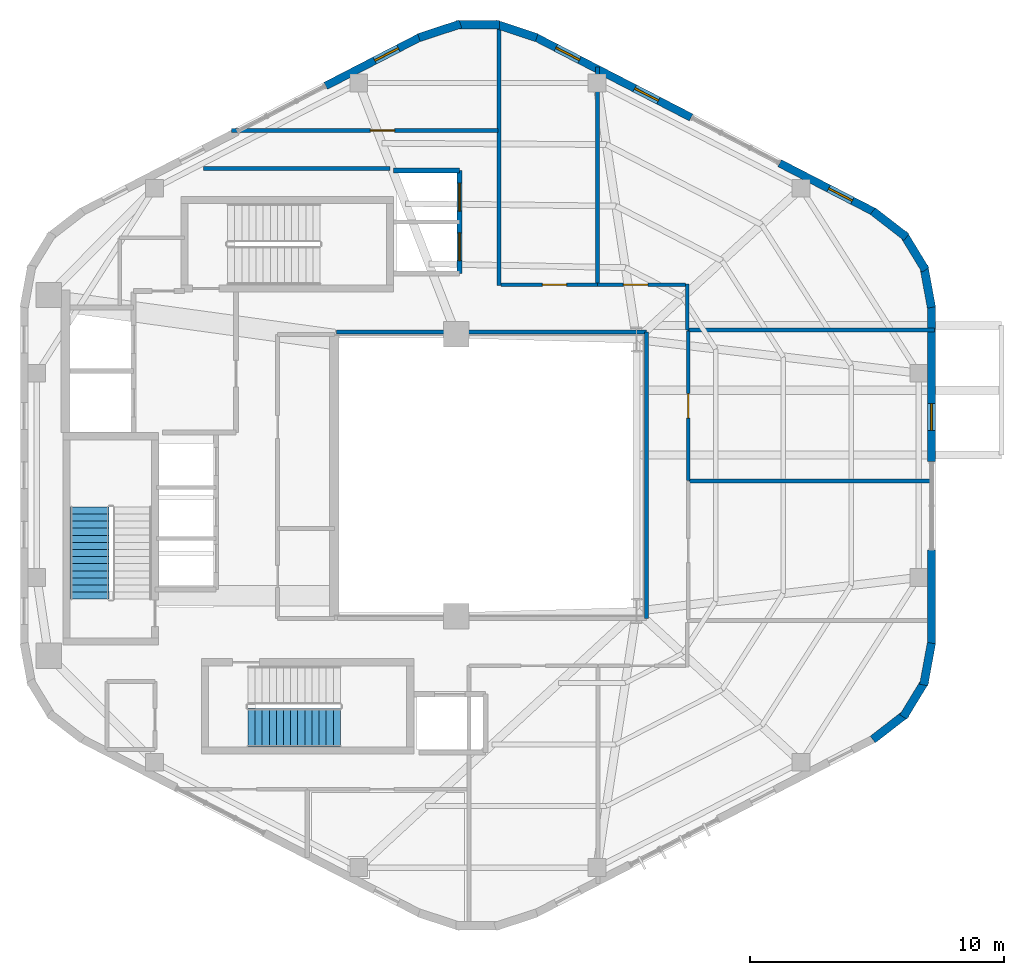
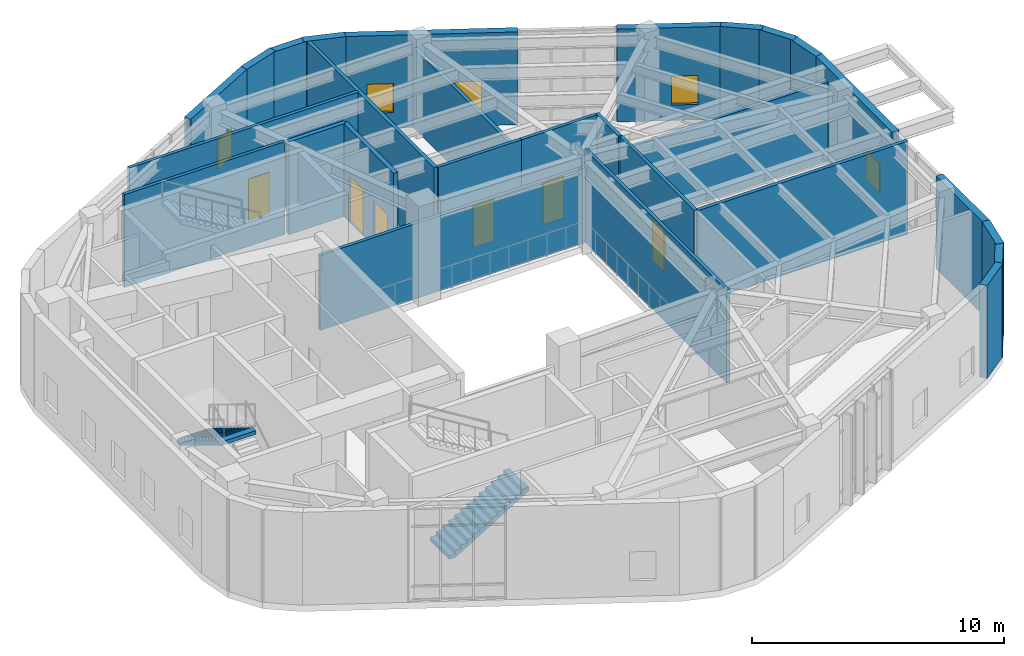
# One storey, part 16 of 18: 28 walls, 6 doors, 5 windows, 2 stair flights, 11 openings, 2 elements without a shape of their own.
"""IFC4 building model written with IfcOpenShell, lengths in metres."""

from ifc_helpers import new_model, si_unit, direction, frame, frame_2d, origin, place, context, subcontext, project, spatial, polyline, rectangle, outline, extrude, material, layer, layer_set, type_object, element, fill, aggregate, save


model = new_model("IFC4")

# Units and contexts
model_context = context("Model", 3, precision=1e-05, world=origin(), true_north=direction((0.0, 1.0)))
body_context = subcontext(model_context, "Body", "Model", "MODEL_VIEW")
ifc_project = project(units=[si_unit("LENGTHUNIT", "METRE"), si_unit("AREAUNIT", "SQUARE_METRE"), si_unit("VOLUMEUNIT", "CUBIC_METRE"), si_unit("PLANEANGLEUNIT", "RADIAN"), si_unit("MASSUNIT", "GRAM", prefix="KILO"), si_unit("THERMODYNAMICTEMPERATUREUNIT", "KELVIN"), si_unit("POWERUNIT", "WATT")], contexts=[model_context])

# Site, building, storey
site_placement = place(None, origin())
site = spatial("IfcSite", under=ifc_project, at=site_placement, CompositionType="ELEMENT")
building_placement = place(site_placement, origin())
building = spatial("IfcBuilding", under=site, at=building_placement, Name="Skarre Station Tower", CompositionType="ELEMENT")
storey_placement = place(building_placement, frame((0.0, 0.0, 270.300048828125)))
storey = spatial("IfcBuildingStorey", under=building, at=storey_placement, Name="L74", CompositionType="ELEMENT", Elevation=270.300048828125)

# Walls
ifc_material_1 = material(Name="Acoustic Steel-Stud Gypsum Partition", Category="steel")
ifc_layer_1 = layer(ifc_material_1, 0.14990234375, Name="Acoustic Steel-Stud Gypsum Partition")
ifc_layer_set_1 = layer_set([ifc_layer_1], Name="Acoustic Steel-Stud Gypsum Partition")
wall_type_1 = type_object("IfcWallType", Name="Fire-Rated Corridor Acoustic Partition 150", PredefinedType="PARTITIONING", material=ifc_layer_set_1)
wall_1_placement = place(storey_placement, frame((39.840087890625, 29.639892578125, 0.0), z_axis=(0.0, 0.0, 1.0), x_axis=(-1.0, 0.0, 0.0)))
element("IfcWall", 1, at=wall_1_placement, inside=storey, type_object=wall_type_1, Name="L74 Interior Partition WL-PT-L74-ATRW-N", PredefinedType="PARTITIONING", context=body_context, shape_type="SweptSolid", body=[
    extrude(rectangle(XDim=12.203125, YDim=0.14990234375, at=frame_2d((6.1015625, 0.0))), origin(), (0.0, 0.0, 1.0), 3.630859375),
])
wall_2_placement = place(storey_placement, frame((39.840087890625, 18.360107421875, 0.0), z_axis=(0.0, 0.0, 1.0), x_axis=(0.0, 1.0, 0.0)))
element("IfcWall", 2, at=wall_2_placement, inside=storey, type_object=wall_type_1, Name="L74 Interior Partition WL-PT-L74-ATRW-E", PredefinedType="PARTITIONING", context=body_context, shape_type="SweptSolid", body=[
    extrude(rectangle(XDim=11.27978515625, YDim=0.14990234375, at=frame_2d((5.639892578125, 0.0))), origin(), (0.0, 0.0, 1.0), 4.489990234375),
])

# Wall, opening, door
wall_3_placement = place(storey_placement, frame((34.0, 37.580078125, 0.0), z_axis=(0.0, 0.0, 1.0), x_axis=(-1.0, 0.0, 0.0)))
wall_3 = element("IfcWall", 3, at=wall_3_placement, inside=storey, type_object=wall_type_1, Name="L74 Interior Partition WL-PT-L74-CRNNW1-CW", PredefinedType="PARTITIONING", context=body_context, shape_type="SweptSolid", body=[
    extrude(rectangle(XDim=10.5009765625, YDim=0.14990234375, at=frame_2d((5.25048828125, 0.0))), origin(), (0.0, 0.0, 1.0), 4.489990234375),
])
opening_1_placement = place(wall_3_placement, frame((4.070068359375, 0.0, 0.0)))
opening_1 = element("IfcOpeningElement", 4, at=opening_1_placement, cuts=wall_3, Name="Opening DR-FD60", PredefinedType="OPENING", context=body_context, shape_type="SweptSolid", body=[
    extrude(rectangle(XDim=0.9599609375, YDim=2.0, at=frame_2d((0.47998046875, 1.0))), frame((0.0, 0.0849609375, 0.0), z_axis=(0.0, -1.0, 0.0), x_axis=(1.0, 0.0, 0.0)), (0.0, 0.0, 1.0), 0.169921875),
])
ifc_material_2 = material(Name="Nordic White-Oak Veneer Solid-Core Fire Leaf", Category="wood")
door_type_1 = type_object("IfcDoorType", Name="Corridor Suite Entry Fire Door FD60 960x2150", OperationType="SINGLE_SWING_LEFT", PredefinedType="DOOR", material=ifc_material_2)
door_1_placement = place(opening_1_placement, origin())
door_1 = element("IfcDoor", 5, at=door_1_placement, inside=storey, type_object=door_type_1, Name="L74 CRNNW1 Entry Door", OperationType="SINGLE_SWING_LEFT", OverallHeight=2.0, OverallWidth=0.9599609375, PredefinedType="DOOR", context=body_context, shape_type="SweptSolid", body=[
    extrude(rectangle(XDim=0.9599609375, YDim=2.0, at=frame_2d((0.47998046875, 1.0))), frame((0.0, 0.02490234375, 0.0), z_axis=(0.0, -1.0, 0.0), x_axis=(1.0, 0.0, 0.0)), (0.0, 0.0, 1.0), 0.050048828125),
])
fill(opening_1, door_1)

# Wall
wall_4_placement = place(storey_placement, frame((41.449951171875, 29.719970703125, 0.0), z_axis=(0.0, 0.0, 1.0), x_axis=(0.0, 1.0, 0.0)))
element("IfcWall", 6, at=wall_4_placement, inside=storey, type_object=wall_type_1, Name="L74 Interior Partition WL-PT-L74-CRNN-ERET", PredefinedType="PARTITIONING", context=body_context, shape_type="SweptSolid", body=[
    extrude(rectangle(XDim=1.820068359375, YDim=0.14990234375, at=frame_2d((0.91015625, 0.0))), origin(), (0.0, 0.0, 1.0), 4.489990234375),
])

# Wall, opening, door
wall_5_placement = place(storey_placement, frame((37.912109375, 31.5, 0.0), z_axis=(0.0, 0.0, 1.0), x_axis=(-1.0, 0.0, 0.0)))
wall_5 = element("IfcWall", 7, at=wall_5_placement, inside=storey, type_object=wall_type_1, Name="L74 Interior Partition WL-PT-L74-CRNN1-CW", PredefinedType="PARTITIONING", context=body_context, shape_type="SweptSolid", body=[
    extrude(rectangle(XDim=3.795166015625, YDim=0.14990234375, at=frame_2d((1.8974609375, 0.0))), origin(), (0.0, 0.0, 1.0), 4.489990234375),
])
opening_2_placement = place(wall_5_placement, frame((1.2119140625, 0.0, 0.0)))
opening_2 = element("IfcOpeningElement", 8, at=opening_2_placement, cuts=wall_5, Name="Opening DR-FD60", PredefinedType="OPENING", context=body_context, shape_type="SweptSolid", body=[
    extrude(rectangle(XDim=0.9599609375, YDim=2.0, at=frame_2d((0.47998046875, 1.0))), frame((0.0, 0.0849609375, 0.0), z_axis=(0.0, -1.0, 0.0), x_axis=(1.0, 0.0, 0.0)), (0.0, 0.0, 1.0), 0.169921875),
])
door_2_placement = place(opening_2_placement, origin())
door_2 = element("IfcDoor", 9, at=door_2_placement, inside=storey, type_object=door_type_1, Name="L74 CRNN1 Entry Door", OperationType="SINGLE_SWING_LEFT", OverallHeight=2.0, OverallWidth=0.9599609375, PredefinedType="DOOR", context=body_context, shape_type="SweptSolid", body=[
    extrude(rectangle(XDim=0.9599609375, YDim=2.0, at=frame_2d((0.47998046875, 1.0))), frame((0.0, 0.02490234375, 0.0), z_axis=(0.0, -1.0, 0.0), x_axis=(1.0, 0.0, 0.0)), (0.0, 0.0, 1.0), 0.050048828125),
])
fill(opening_2, door_2)

wall_6_placement = place(storey_placement, frame((41.3798828125, 31.5, 0.0), z_axis=(0.0, 0.0, 1.0), x_axis=(-1.0, 0.0, 0.0)))
wall_6 = element("IfcWall", 10, at=wall_6_placement, inside=storey, type_object=wall_type_1, Name="L74 Interior Partition WL-PT-L74-CRNN2-CW", PredefinedType="PARTITIONING", context=body_context, shape_type="SweptSolid", body=[
    extrude(rectangle(XDim=3.457763671875, YDim=0.14990234375, at=frame_2d((1.72900390625, 0.0))), origin(), (0.0, 0.0, 1.0), 4.489990234375),
])
opening_3_placement = place(wall_6_placement, frame((1.48388671875, 0.0, 0.0)))
opening_3 = element("IfcOpeningElement", 11, at=opening_3_placement, cuts=wall_6, Name="Opening DR-FD60", PredefinedType="OPENING", context=body_context, shape_type="SweptSolid", body=[
    extrude(rectangle(XDim=0.9599609375, YDim=2.0, at=frame_2d((0.47998046875, 1.0))), frame((0.0, 0.0849609375, 0.0), z_axis=(0.0, -1.0, 0.0), x_axis=(1.0, 0.0, 0.0)), (0.0, 0.0, 1.0), 0.169921875),
])
door_3_placement = place(opening_3_placement, origin())
door_3 = element("IfcDoor", 12, at=door_3_placement, inside=storey, type_object=door_type_1, Name="L74 CRNN2 Entry Door", OperationType="SINGLE_SWING_LEFT", OverallHeight=2.0, OverallWidth=0.9599609375, PredefinedType="DOOR", context=body_context, shape_type="SweptSolid", body=[
    extrude(rectangle(XDim=0.9599609375, YDim=2.0, at=frame_2d((0.47998046875, 1.0))), frame((0.0, 0.02490234375, 0.0), z_axis=(0.0, -1.0, 0.0), x_axis=(1.0, 0.0, 0.0)), (0.0, 0.0, 1.0), 0.050048828125),
])
fill(opening_3, door_3)

wall_7_placement = place(storey_placement, frame((41.489990234375, 23.791015625, 0.0), z_axis=(0.0, 0.0, 1.0), x_axis=(0.0, 1.0, 0.0)))
wall_7 = element("IfcWall", 13, at=wall_7_placement, inside=storey, type_object=wall_type_1, Name="L74 Interior Partition WL-PT-L74-CRNE2-CW", PredefinedType="PARTITIONING", context=body_context, shape_type="SweptSolid", body=[
    extrude(rectangle(XDim=5.888916015625, YDim=0.14990234375, at=frame_2d((2.9443359375, 0.0))), origin(), (0.0, 0.0, 1.0), 4.489990234375),
])
opening_4_placement = place(wall_7_placement, frame((2.465087890625, 0.0, 0.0)))
opening_4 = element("IfcOpeningElement", 14, at=opening_4_placement, cuts=wall_7, Name="Opening DR-FD60", PredefinedType="OPENING", context=body_context, shape_type="SweptSolid", body=[
    extrude(rectangle(XDim=0.9599609375, YDim=2.0, at=frame_2d((0.47998046875, 1.0))), frame((0.0, 0.0849609375, 0.0), z_axis=(0.0, -1.0, 0.0), x_axis=(1.0, 0.0, 0.0)), (0.0, 0.0, 1.0), 0.169921875),
])
door_4_placement = place(opening_4_placement, origin())
door_4 = element("IfcDoor", 15, at=door_4_placement, inside=storey, type_object=door_type_1, Name="L74 CRNE2 Entry Door", OperationType="SINGLE_SWING_LEFT", OverallHeight=2.0, OverallWidth=0.9599609375, PredefinedType="DOOR", context=body_context, shape_type="SweptSolid", body=[
    extrude(rectangle(XDim=0.9599609375, YDim=2.0, at=frame_2d((0.47998046875, 1.0))), frame((0.0, 0.02490234375, 0.0), z_axis=(0.0, -1.0, 0.0), x_axis=(1.0, 0.0, 0.0)), (0.0, 0.0, 1.0), 0.050048828125),
])
fill(opening_4, door_4)

# Walls
wall_8_placement = place(storey_placement, frame((29.7529296875, 36.080078125, 0.0), z_axis=(0.0, 0.0, 1.0), x_axis=(-1.0, 0.0, 0.0)))
element("IfcWall", 16, at=wall_8_placement, inside=storey, type_object=wall_type_1, Name="L74 Interior Partition WL-PT-L74-CSEAL-1", PredefinedType="PARTITIONING", context=body_context, shape_type="SweptSolid", body=[
    extrude(rectangle(XDim=7.35302734375, YDim=0.14990234375, at=frame_2d((3.676513671875, 0.0))), origin(), (0.0, 0.0, 1.0), 4.489990234375),
])
ifc_material_3 = material(Name="Precast concrete C45/55", Category="concrete")
ifc_layer_2 = layer(ifc_material_3, 0.330078125, Name="Precast concrete C45/55")
ifc_layer_set_2 = layer_set([ifc_layer_2], Name="Precast concrete C45/55")
wall_type_2 = type_object("IfcWallType", Name="Nordic Rounded Corner Precast Wall 330", PredefinedType="STANDARD", material=ifc_layer_set_2)
wall_9_placement = place(storey_placement, frame((48.7529296875, 34.40087890625, 0.0), z_axis=(0.0, 0.0, 1.0), x_axis=(0.790691856293, -0.61221433207, 0.0)))
element("IfcWall", 17, at=wall_9_placement, inside=storey, type_object=wall_type_2, Name="L74 Rounded Corner Precast Wall F0-1", PredefinedType="STANDARD", context=body_context, shape_type="SweptSolid", body=[
    extrude(rectangle(XDim=1.67578125, YDim=0.330078125, at=frame_2d((0.837890625, 0.0))), origin(), (0.0, 0.0, 1.0), 4.489990234375),
])
wall_10_placement = place(storey_placement, frame((49.952880859375, 33.514892578125, 0.0), z_axis=(0.0, 0.0, 1.0), x_axis=(0.520325409202, -0.853968072318, 0.0)))
element("IfcWall", 18, at=wall_10_placement, inside=storey, type_object=wall_type_2, Name="L74 Rounded Corner Precast Wall F0-2", PredefinedType="STANDARD", context=body_context, shape_type="SweptSolid", body=[
    extrude(rectangle(XDim=1.677978515625, YDim=0.330078125, at=frame_2d((0.8388671875, 0.0))), origin(), (0.0, 0.0, 1.0), 4.489990234375),
])
wall_11_placement = place(storey_placement, frame((50.759033203125, 32.257080078125, 0.0), z_axis=(0.0, 0.0, 1.0), x_axis=(0.180691763044, -0.983539773862, 0.0)))
element("IfcWall", 19, at=wall_11_placement, inside=storey, type_object=wall_type_2, Name="L74 Rounded Corner Precast Wall F0-3", PredefinedType="STANDARD", context=body_context, shape_type="SweptSolid", body=[
    extrude(rectangle(XDim=1.6767578125, YDim=0.330078125, at=frame_2d((0.83837890625, 0.0))), origin(), (0.0, 0.0, 1.0), 4.489990234375),
])
wall_12_placement = place(storey_placement, frame((30.882080078125, 41.23095703125, 0.0), z_axis=(0.0, 0.0, 1.0), x_axis=(0.949713440491, 0.313120393699, 0.0)))
element("IfcWall", 20, at=wall_12_placement, inside=storey, type_object=wall_type_2, Name="L74 Rounded Corner Precast Wall F1-1", PredefinedType="STANDARD", context=body_context, shape_type="SweptSolid", body=[
    extrude(rectangle(XDim=1.7216796875, YDim=0.330078125, at=frame_2d((0.86083984375, 0.0))), origin(), (0.0, 0.0, 1.0), 4.489990234375),
])
wall_13_placement = place(storey_placement, frame((32.339111328125, 41.740966796875, 0.0), z_axis=(0.0, 0.0, 1.0), x_axis=(1.0, 0.0, 0.0)))
element("IfcWall", 21, at=wall_13_placement, inside=storey, type_object=wall_type_2, Name="L74 Rounded Corner Precast Wall F1-2", PredefinedType="STANDARD", context=body_context, shape_type="SweptSolid", body=[
    extrude(rectangle(XDim=1.721923828125, YDim=0.330078125, at=frame_2d((0.86083984375, 0.0))), origin(), (0.0, 0.0, 1.0), 4.489990234375),
])
wall_14_placement = place(storey_placement, frame((33.883056640625, 41.77001953125, 0.0), z_axis=(0.0, 0.0, 1.0), x_axis=(0.949713440491, -0.313120393699, 0.0)))
element("IfcWall", 22, at=wall_14_placement, inside=storey, type_object=wall_type_2, Name="L74 Rounded Corner Precast Wall F1-3", PredefinedType="STANDARD", context=body_context, shape_type="SweptSolid", body=[
    extrude(rectangle(XDim=1.7216796875, YDim=0.330078125, at=frame_2d((0.86083984375, 0.0))), origin(), (0.0, 0.0, 1.0), 4.489990234375),
])
wall_15_placement = place(storey_placement, frame((51.06201171875, 17.39208984375, 0.0), z_axis=(0.0, 0.0, 1.0), x_axis=(-0.180691763044, -0.983539773862, 0.0)))
element("IfcWall", 23, at=wall_15_placement, inside=storey, type_object=wall_type_2, Name="L74 Rounded Corner Precast Wall F5-1", PredefinedType="STANDARD", context=body_context, shape_type="SweptSolid", body=[
    extrude(rectangle(XDim=1.6767578125, YDim=0.330078125, at=frame_2d((0.83837890625, 0.0))), origin(), (0.0, 0.0, 1.0), 4.489990234375),
])
wall_16_placement = place(storey_placement, frame((50.825927734375, 15.91796875, 0.0), z_axis=(0.0, 0.0, 1.0), x_axis=(-0.520325409202, -0.853968072318, 0.0)))
element("IfcWall", 24, at=wall_16_placement, inside=storey, type_object=wall_type_2, Name="L74 Rounded Corner Precast Wall F5-2", PredefinedType="STANDARD", context=body_context, shape_type="SweptSolid", body=[
    extrude(rectangle(XDim=1.677978515625, YDim=0.330078125, at=frame_2d((0.8388671875, 0.0))), origin(), (0.0, 0.0, 1.0), 4.489990234375),
])
wall_17_placement = place(storey_placement, frame((50.077880859375, 14.625, 0.0), z_axis=(0.0, 0.0, 1.0), x_axis=(-0.790691856293, -0.61221433207, 0.0)))
element("IfcWall", 25, at=wall_17_placement, inside=storey, type_object=wall_type_2, Name="L74 Rounded Corner Precast Wall F5-3", PredefinedType="STANDARD", context=body_context, shape_type="SweptSolid", body=[
    extrude(rectangle(XDim=1.67578125, YDim=0.330078125, at=frame_2d((0.837890625, 0.0))), origin(), (0.0, 0.0, 1.0), 4.489990234375),
])

# Wall, openings, windows
ifc_layer_3 = layer(ifc_material_3, 0.31005859375, Name="Precast concrete C45/55")
ifc_layer_set_3 = layer_set([ifc_layer_3], Name="Precast concrete C45/55")
wall_type_3 = type_object("IfcWallType", Name="Nordic Upper-Zone Precast Facet Wall 310", PredefinedType="STANDARD", material=ifc_layer_set_3)
wall_18_placement = place(storey_placement, frame((35.43701171875, 41.27001953125, 0.0), z_axis=(0.0, 0.0, 1.0), x_axis=(0.888622971019, -0.458638436437, 0.0)))
wall_18 = element("IfcWall", 26, at=wall_18_placement, inside=storey, type_object=wall_type_3, Name="L74 Facet 0 Pier A", PredefinedType="STANDARD", context=body_context, shape_type="SweptSolid", body=[
    extrude(rectangle(XDim=6.935546875, YDim=0.31005859375, at=frame_2d((3.4677734375, 0.0))), origin(), (0.0, 0.0, 1.0), 4.489990234375),
])
opening_5_placement = place(wall_18_placement, frame((0.94189453125, 0.0, 0.75)))
opening_5 = element("IfcOpeningElement", 27, at=opening_5_placement, cuts=wall_18, Name="Opening WN-SLT", PredefinedType="OPENING", context=body_context, shape_type="SweptSolid", body=[
    extrude(rectangle(XDim=1.050048828125, YDim=1.39990234375, at=frame_2d((0.52490234375, 0.699951171875))), frame((0.0, 0.1650390625, 0.0), z_axis=(0.0, -1.0, 0.0), x_axis=(1.0, 0.0, 0.0)), (0.0, 0.0, 1.0), 0.330078125),
])
opening_6_placement = place(wall_18_placement, frame((4.43505859375, 0.0, 0.75)))
opening_6 = element("IfcOpeningElement", 28, at=opening_6_placement, cuts=wall_18, Name="Opening WN-SLT", PredefinedType="OPENING", context=body_context, shape_type="SweptSolid", body=[
    extrude(rectangle(XDim=1.050048828125, YDim=1.39990234375, at=frame_2d((0.52490234375, 0.699951171875))), frame((0.0, 0.1650390625, 0.0), z_axis=(0.0, -1.0, 0.0), x_axis=(1.0, 0.0, 0.0)), (0.0, 0.0, 1.0), 0.330078125),
])
ifc_material_4 = material(Name="Low-Iron Triple Glazing with Bronze Anodized Frame", Category="glass")
window_type = type_object("IfcWindowType", Name="Nordic Corner Slot Window 1050x1400", PartitioningType="SINGLE_PANEL", PredefinedType="WINDOW", material=ifc_material_4)
window_1_placement = place(opening_5_placement, origin())
window_1 = element("IfcWindow", 29, at=window_1_placement, inside=storey, type_object=window_type, Name="L74 Facade Window WL-FAC-L74-F0A-1", OverallHeight=1.39990234375, OverallWidth=1.050048828125, PartitioningType="SINGLE_PANEL", PredefinedType="WINDOW", context=body_context, shape_type="SweptSolid", body=[
    extrude(rectangle(XDim=1.050048828125, YDim=1.39990234375, at=frame_2d((0.52490234375, 0.699951171875))), frame((0.0, 0.030029296875, 0.0), z_axis=(0.0, -1.0, 0.0), x_axis=(1.0, 0.0, 0.0)), (0.0, 0.0, 1.0), 0.06005859375),
])
fill(opening_5, window_1)
window_2_placement = place(opening_6_placement, origin())
window_2 = element("IfcWindow", 30, at=window_2_placement, inside=storey, type_object=window_type, Name="L74 Facade Window WL-FAC-L74-F0A-2", OverallHeight=1.39990234375, OverallWidth=1.050048828125, PartitioningType="SINGLE_PANEL", PredefinedType="WINDOW", context=body_context, shape_type="SweptSolid", body=[
    extrude(rectangle(XDim=1.050048828125, YDim=1.39990234375, at=frame_2d((0.52490234375, 0.699951171875))), frame((0.0, 0.030029296875, 0.0), z_axis=(0.0, -1.0, 0.0), x_axis=(1.0, 0.0, 0.0)), (0.0, 0.0, 1.0), 0.06005859375),
])
fill(opening_6, window_2)

# Wall, opening, window
wall_19_placement = place(storey_placement, frame((45.0830078125, 36.2900390625, 0.0), z_axis=(0.0, 0.0, 1.0), x_axis=(0.888616094641, -0.45865175934, 0.0)))
wall_19 = element("IfcWall", 31, at=wall_19_placement, inside=storey, type_object=wall_type_3, Name="L74 Facet 0 Pier B", PredefinedType="STANDARD", context=body_context, shape_type="SweptSolid", body=[
    extrude(rectangle(XDim=4.22119140625, YDim=0.31005859375, at=frame_2d((2.110595703125, 0.0))), origin(), (0.0, 0.0, 1.0), 4.489990234375),
])
opening_7_placement = place(wall_19_placement, frame((2.173095703125, 0.0, 0.75)))
opening_7 = element("IfcOpeningElement", 32, at=opening_7_placement, cuts=wall_19, Name="Opening WN-SLT", PredefinedType="OPENING", context=body_context, shape_type="SweptSolid", body=[
    extrude(rectangle(XDim=1.050048828125, YDim=1.39990234375, at=frame_2d((0.52490234375, 0.699951171875))), frame((0.0, 0.1650390625, 0.0), z_axis=(0.0, -1.0, 0.0), x_axis=(1.0, 0.0, 0.0)), (0.0, 0.0, 1.0), 0.330078125),
])
window_3_placement = place(opening_7_placement, origin())
window_3 = element("IfcWindow", 33, at=window_3_placement, inside=storey, type_object=window_type, Name="L74 Facade Window WL-FAC-L74-F0B-1", OverallHeight=1.39990234375, OverallWidth=1.050048828125, PartitioningType="SINGLE_PANEL", PredefinedType="WINDOW", context=body_context, shape_type="SweptSolid", body=[
    extrude(rectangle(XDim=1.050048828125, YDim=1.39990234375, at=frame_2d((0.52490234375, 0.699951171875))), frame((0.0, 0.030029296875, 0.0), z_axis=(0.0, -1.0, 0.0), x_axis=(1.0, 0.0, 0.0)), (0.0, 0.0, 1.0), 0.06005859375),
])
fill(opening_7, window_3)

wall_20_placement = place(storey_placement, frame((27.2119140625, 39.333984375, 0.0), z_axis=(0.0, 0.0, 1.0), x_axis=(0.888616094641, 0.45865175934, 0.0)))
wall_20 = element("IfcWall", 34, at=wall_20_placement, inside=storey, type_object=wall_type_3, Name="L74 Facet 1 Pier B", PredefinedType="STANDARD", context=body_context, shape_type="SweptSolid", body=[
    extrude(rectangle(XDim=4.22119140625, YDim=0.31005859375, at=frame_2d((2.110595703125, 0.0))), origin(), (0.0, 0.0, 1.0), 4.489990234375),
])
opening_8_placement = place(wall_20_placement, frame((2.174072265625, 0.0, 0.75)))
opening_8 = element("IfcOpeningElement", 35, at=opening_8_placement, cuts=wall_20, Name="Opening WN-SLT", PredefinedType="OPENING", context=body_context, shape_type="SweptSolid", body=[
    extrude(rectangle(XDim=1.050048828125, YDim=1.39990234375, at=frame_2d((0.52490234375, 0.699951171875))), frame((0.0, 0.1650390625, 0.0), z_axis=(0.0, -1.0, 0.0), x_axis=(1.0, 0.0, 0.0)), (0.0, 0.0, 1.0), 0.330078125),
])
window_4_placement = place(opening_8_placement, origin())
window_4 = element("IfcWindow", 36, at=window_4_placement, inside=storey, type_object=window_type, Name="L74 Facade Window WL-FAC-L74-F1B-1", OverallHeight=1.39990234375, OverallWidth=1.050048828125, PartitioningType="SINGLE_PANEL", PredefinedType="WINDOW", context=body_context, shape_type="SweptSolid", body=[
    extrude(rectangle(XDim=1.050048828125, YDim=1.39990234375, at=frame_2d((0.52490234375, 0.699951171875))), frame((0.0, 0.030029296875, 0.0), z_axis=(0.0, -1.0, 0.0), x_axis=(1.0, 0.0, 0.0)), (0.0, 0.0, 1.0), 0.06005859375),
])
fill(opening_8, window_4)

wall_21_placement = place(storey_placement, frame((51.05810546875, 30.701904296875, 0.0), z_axis=(0.0, 0.0, 1.0), x_axis=(0.0, -1.0, 0.0)))
wall_21 = element("IfcWall", 37, at=wall_21_placement, inside=storey, type_object=wall_type_3, Name="L74 Facet 5 Pier A", PredefinedType="STANDARD", context=body_context, shape_type="SweptSolid", body=[
    extrude(rectangle(XDim=6.166015625, YDim=0.31005859375, at=frame_2d((3.0830078125, 0.0))), origin(), (0.0, 0.0, 1.0), 4.489990234375),
])
opening_9_placement = place(wall_21_placement, frame((3.884033203125, 0.0, 0.75)))
opening_9 = element("IfcOpeningElement", 38, at=opening_9_placement, cuts=wall_21, Name="Opening WN-SLT", PredefinedType="OPENING", context=body_context, shape_type="SweptSolid", body=[
    extrude(rectangle(XDim=1.050048828125, YDim=1.39990234375, at=frame_2d((0.52490234375, 0.699951171875))), frame((0.0, 0.1650390625, 0.0), z_axis=(0.0, -1.0, 0.0), x_axis=(1.0, 0.0, 0.0)), (0.0, 0.0, 1.0), 0.330078125),
])
window_5_placement = place(opening_9_placement, origin())
window_5 = element("IfcWindow", 39, at=window_5_placement, inside=storey, type_object=window_type, Name="L74 Facade Window WL-FAC-L74-F5A-1", OverallHeight=1.39990234375, OverallWidth=1.050048828125, PartitioningType="SINGLE_PANEL", PredefinedType="WINDOW", context=body_context, shape_type="SweptSolid", body=[
    extrude(rectangle(XDim=1.050048828125, YDim=1.39990234375, at=frame_2d((0.52490234375, 0.699951171875))), frame((0.0, 0.030029296875, 0.0), z_axis=(0.0, -1.0, 0.0), x_axis=(1.0, 0.0, 0.0)), (0.0, 0.0, 1.0), 0.06005859375),
])
fill(opening_9, window_5)

# Wall
wall_22_placement = place(storey_placement, frame((51.05810546875, 21.051025390625, 0.0), z_axis=(0.0, 0.0, 1.0), x_axis=(0.0, -1.0, 0.0)))
element("IfcWall", 40, at=wall_22_placement, inside=storey, type_object=wall_type_3, Name="L74 Facet 5 Pier B", PredefinedType="STANDARD", context=body_context, shape_type="SweptSolid", body=[
    extrude(rectangle(XDim=3.7529296875, YDim=0.31005859375, at=frame_2d((1.87646484375, 0.0))), origin(), (0.0, 0.0, 1.0), 4.489990234375),
])

# Wall, openings, doors
ifc_material_5 = material(Name="Gypsum Concrete Shaft Assembly C30/37", Category="concrete")
ifc_layer_4 = layer(ifc_material_5, 0.199951171875, Name="Gypsum Concrete Shaft Assembly C30/37")
ifc_layer_set_4 = layer_set([ifc_layer_4], Name="Gypsum Concrete Shaft Assembly C30/37")
wall_type_4 = type_object("IfcWallType", Name="Shaft & Core Fire Partition 200", PredefinedType="PARTITIONING", material=ifc_layer_set_4)
wall_23_placement = place(storey_placement, frame((32.47998046875, 31.949951171875, 0.0), z_axis=(0.0, 0.0, 1.0), x_axis=(0.0, 1.0, 0.0)))
wall_23 = element("IfcWall", 41, at=wall_23_placement, inside=storey, type_object=wall_type_4, Name="L74 Interior Partition WL-PT-L74-EX-E", PredefinedType="PARTITIONING", context=body_context, shape_type="SweptSolid", body=[
    extrude(rectangle(XDim=4.050048828125, YDim=0.199951171875, at=frame_2d((2.02490234375, 0.0))), origin(), (0.0, 0.0, 1.0), 4.489990234375),
])
opening_10_placement = place(wall_23_placement, frame((0.5, 0.0, 0.0)))
opening_10 = element("IfcOpeningElement", 42, at=opening_10_placement, cuts=wall_23, Name="Opening LD-EX1", PredefinedType="OPENING", context=body_context, shape_type="SweptSolid", body=[
    extrude(rectangle(XDim=1.10009765625, YDim=2.199951171875, at=frame_2d((0.550048828125, 1.10009765625))), frame((0.0, 0.10986328125, 0.0), z_axis=(0.0, -1.0, 0.0), x_axis=(1.0, 0.0, 0.0)), (0.0, 0.0, 1.0), 0.219970703125),
])
opening_11_placement = place(wall_23_placement, frame((2.449951171875, 0.0, 0.0)))
opening_11 = element("IfcOpeningElement", 43, at=opening_11_placement, cuts=wall_23, Name="Opening LD-EX2", PredefinedType="OPENING", context=body_context, shape_type="SweptSolid", body=[
    extrude(rectangle(XDim=1.10009765625, YDim=2.199951171875, at=frame_2d((0.550048828125, 1.10009765625))), frame((0.0, 0.10986328125, 0.0), z_axis=(0.0, -1.0, 0.0), x_axis=(1.0, 0.0, 0.0)), (0.0, 0.0, 1.0), 0.219970703125),
])
ifc_material_6 = material(Name="Brushed Bronze Stainless Steel Sliding Leaves", Category="steel")
door_type_2 = type_object("IfcDoorType", Name="Passenger Elevator Center-Parting Sliding Door 1100x2200", OperationType="SLIDING_TO_LEFT", PredefinedType="DOOR", material=ifc_material_6)
door_5_placement = place(opening_10_placement, origin())
door_5 = element("IfcDoor", 44, at=door_5_placement, inside=storey, type_object=door_type_2, Name="L74 Shuttle Lift LF-EX1 Landing Door", OperationType="SLIDING_TO_LEFT", OverallHeight=2.199951171875, OverallWidth=1.10009765625, PredefinedType="DOOR", context=body_context, shape_type="SweptSolid", body=[
    extrude(rectangle(XDim=1.10009765625, YDim=2.199951171875, at=frame_2d((0.550048828125, 1.10009765625))), frame((0.0, 0.02490234375, 0.0), z_axis=(0.0, -1.0, 0.0), x_axis=(1.0, 0.0, 0.0)), (0.0, 0.0, 1.0), 0.050048828125),
])
fill(opening_10, door_5)
door_6_placement = place(opening_11_placement, origin())
door_6 = element("IfcDoor", 45, at=door_6_placement, inside=storey, type_object=door_type_2, Name="L74 Shuttle Lift LF-EX2 Landing Door", OperationType="SLIDING_TO_LEFT", OverallHeight=2.199951171875, OverallWidth=1.10009765625, PredefinedType="DOOR", context=body_context, shape_type="SweptSolid", body=[
    extrude(rectangle(XDim=1.10009765625, YDim=2.199951171875, at=frame_2d((0.550048828125, 1.10009765625))), frame((0.0, 0.02490234375, 0.0), z_axis=(0.0, -1.0, 0.0), x_axis=(1.0, 0.0, 0.0)), (0.0, 0.0, 1.0), 0.050048828125),
])
fill(opening_11, door_6)

# Walls
wall_24_placement = place(storey_placement, frame((29.8798828125, 36.0, 0.0), z_axis=(0.0, 0.0, 1.0), x_axis=(1.0, 0.0, 0.0)))
element("IfcWall", 46, at=wall_24_placement, inside=storey, type_object=wall_type_4, Name="L74 Interior Partition WL-PT-L74-EX-N", PredefinedType="PARTITIONING", context=body_context, shape_type="SweptSolid", body=[
    extrude(rectangle(XDim=2.60009765625, YDim=0.199951171875, at=frame_2d((1.300048828125, 0.0))), origin(), (0.0, 0.0, 1.0), 4.489990234375),
])
ifc_layer_5 = layer(ifc_material_1, 0.1650390625, Name="Acoustic Steel-Stud Gypsum Partition")
ifc_layer_set_5 = layer_set([ifc_layer_5], Name="Acoustic Steel-Stud Gypsum Partition")
wall_type_5 = type_object("IfcWallType", Name="Suite Demising Acoustic Partition 165", PredefinedType="PARTITIONING", material=ifc_layer_set_5)
wall_25_placement = place(storey_placement, frame((34.0400390625, 31.47998046875, 0.0), z_axis=(0.0, 0.0, 1.0), x_axis=(0.0, 1.0, 0.0)))
element("IfcWall", 47, at=wall_25_placement, inside=storey, type_object=wall_type_5, Name="L74 Interior Partition WL-PT-L74-CRNN-WBND", PredefinedType="PARTITIONING", context=body_context, shape_type="SweptSolid", body=[
    extrude(rectangle(XDim=10.338134765625, YDim=0.1650390625, at=frame_2d((5.1689453125, 0.0))), origin(), (0.0, 0.0, 1.0), 4.489990234375),
])
wall_26_placement = place(storey_placement, frame((37.9169921875, 31.510009765625, 0.0), z_axis=(0.0, 0.0, 1.0), x_axis=(0.0, 1.0, 0.0)))
element("IfcWall", 48, at=wall_26_placement, inside=storey, type_object=wall_type_5, Name="L74 Interior Partition WL-PT-L74-CRNN-P1", PredefinedType="PARTITIONING", context=body_context, shape_type="SweptSolid", body=[
    extrude(rectangle(XDim=8.575927734375, YDim=0.1650390625, at=frame_2d((4.2880859375, 0.0))), origin(), (0.0, 0.0, 1.0), 3.87890625),
])
wall_27_placement = place(storey_placement, frame((41.449951171875, 29.719970703125, 0.0), z_axis=(0.0, 0.0, 1.0), x_axis=(1.0, 0.0, 0.0)))
element("IfcWall", 49, at=wall_27_placement, inside=storey, type_object=wall_type_5, Name="L74 Interior Partition WL-PT-L74-CRNE-N", PredefinedType="PARTITIONING", context=body_context, shape_type="SweptSolid", body=[
    extrude(rectangle(XDim=9.733154296875, YDim=0.1650390625, at=frame_2d((4.86669921875, 0.0))), origin(), (0.0, 0.0, 1.0), 3.823974609375),
])
wall_28_placement = place(storey_placement, frame((41.52001953125, 23.77294921875, 0.0), z_axis=(0.0, 0.0, 1.0), x_axis=(1.0, 0.0, 0.0)))
element("IfcWall", 50, at=wall_28_placement, inside=storey, type_object=wall_type_5, Name="L74 Interior Partition WL-PT-L74-CRNE-P1", PredefinedType="PARTITIONING", context=body_context, shape_type="SweptSolid", body=[
    extrude(rectangle(XDim=9.623046875, YDim=0.1650390625, at=frame_2d((4.8115234375, 0.0))), origin(), (0.0, 0.0, 1.0), 4.489990234375),
])

# Stair, stair flight
ifc_material_7 = material(Name="Concrete C40/50", Category="concrete")
stair_type_1 = type_object("IfcStairType", Name="Reinforced Concrete Exit Stair ST-1", PredefinedType="HALF_TURN_STAIR", material=ifc_material_7)
stair_1_placement = place(storey_placement, origin())
stair_1 = element("IfcStair", 51, at=stair_1_placement, inside=storey, type_object=stair_type_1, Name="L74 Core Exit Stair ST-1", PredefinedType="HALF_TURN_STAIR")
stair_flight_type_1 = type_object("IfcStairFlightType", Name="Reinforced Concrete Stair Flight ST-1", PredefinedType="STRAIGHT", material=ifc_material_7)
stair_flight_1_placement = place(storey_placement, frame((17.909912109375, 22.760009765625, 2.39990234375), z_axis=(0.0, 0.0, 1.0), x_axis=(0.0, -1.0, 0.0)))
stair_flight_1 = element("IfcStairFlight", 52, at=stair_flight_1_placement, type_object=stair_flight_type_1, Name="ST-1 flight 2", NumberOfRisers=14, NumberOfTreads=13, PredefinedType="STRAIGHT", RiserHeight=0.171428571, TreadLength=0.28, context=body_context, shape_type="SweptSolid", body=[
    extrude(outline(polyline([(0.0, 0.0), (0.0, 0.17138671875), (0.280029296875, 0.17138671875), (0.280029296875, 0.3427734375), (0.56005859375, 0.3427734375), (0.56005859375, 0.514404296875), (0.840087890625, 0.514404296875), (0.840087890625, 0.685791015625), (1.1201171875, 0.685791015625), (1.1201171875, 0.857177734375), (1.39990234375, 0.857177734375), (1.39990234375, 1.028564453125), (1.679931640625, 1.028564453125), (1.679931640625, 1.199951171875), (1.9599609375, 1.199951171875), (1.9599609375, 1.371337890625), (2.239990234375, 1.371337890625), (2.239990234375, 1.54296875), (2.52001953125, 1.54296875), (2.52001953125, 1.71435546875), (2.800048828125, 1.71435546875), (2.800048828125, 1.8857421875), (3.080078125, 1.8857421875), (3.080078125, 2.05712890625), (3.360107421875, 2.05712890625), (3.360107421875, 2.228515625), (3.639892578125, 2.228515625), (3.639892578125, 2.39990234375), (3.639892578125, 2.052734375), (0.287109375, 0.0), (0.0, 0.0)])), frame((0.0, 0.760009765625, 0.0), z_axis=(0.0, -1.0, 0.0), x_axis=(1.0, 0.0, 0.0)), (0.0, 0.0, 1.0), 1.52001953125),
])
aggregate(stair_1, [stair_flight_1])

stair_type_2 = type_object("IfcStairType", Name="Reinforced Concrete Exit Stair ST-2", PredefinedType="HALF_TURN_STAIR", material=ifc_material_7)
stair_2_placement = place(storey_placement, origin())
stair_2 = element("IfcStair", 53, at=stair_2_placement, inside=storey, type_object=stair_type_2, Name="L74 Core Exit Stair ST-2", PredefinedType="HALF_TURN_STAIR")
stair_flight_type_2 = type_object("IfcStairFlightType", Name="Reinforced Concrete Stair Flight ST-2", PredefinedType="STRAIGHT", material=ifc_material_7)
stair_flight_2_placement = place(storey_placement, frame((24.14990234375, 14.06005859375, 0.0), z_axis=(0.0, 0.0, 1.0), x_axis=(1.0, 0.0, 0.0)))
stair_flight_2 = element("IfcStairFlight", 54, at=stair_flight_2_placement, type_object=stair_flight_type_2, Name="ST-2 flight 1", NumberOfRisers=14, NumberOfTreads=13, PredefinedType="STRAIGHT", RiserHeight=0.171428571, TreadLength=0.28, context=body_context, shape_type="SweptSolid", body=[
    extrude(outline(polyline([(0.0, 0.0), (0.0, 0.17138671875), (0.280029296875, 0.17138671875), (0.280029296875, 0.3427734375), (0.56005859375, 0.3427734375), (0.56005859375, 0.514404296875), (0.840087890625, 0.514404296875), (0.840087890625, 0.685791015625), (1.1201171875, 0.685791015625), (1.1201171875, 0.857177734375), (1.39990234375, 0.857177734375), (1.39990234375, 1.028564453125), (1.679931640625, 1.028564453125), (1.679931640625, 1.199951171875), (1.9599609375, 1.199951171875), (1.9599609375, 1.371337890625), (2.239990234375, 1.371337890625), (2.239990234375, 1.54296875), (2.52001953125, 1.54296875), (2.52001953125, 1.71435546875), (2.800048828125, 1.71435546875), (2.800048828125, 1.8857421875), (3.080078125, 1.8857421875), (3.080078125, 2.05712890625), (3.360107421875, 2.05712890625), (3.360107421875, 2.228515625), (3.639892578125, 2.228515625), (3.639892578125, 2.39990234375), (3.639892578125, 2.052734375), (0.287109375, 0.0), (0.0, 0.0)])), frame((0.0, 0.760009765625, 0.0), z_axis=(0.0, -1.0, 0.0), x_axis=(1.0, 0.0, 0.0)), (0.0, 0.0, 1.0), 1.52001953125),
])
aggregate(stair_2, [stair_flight_2])

save(model, "model.ifc")
